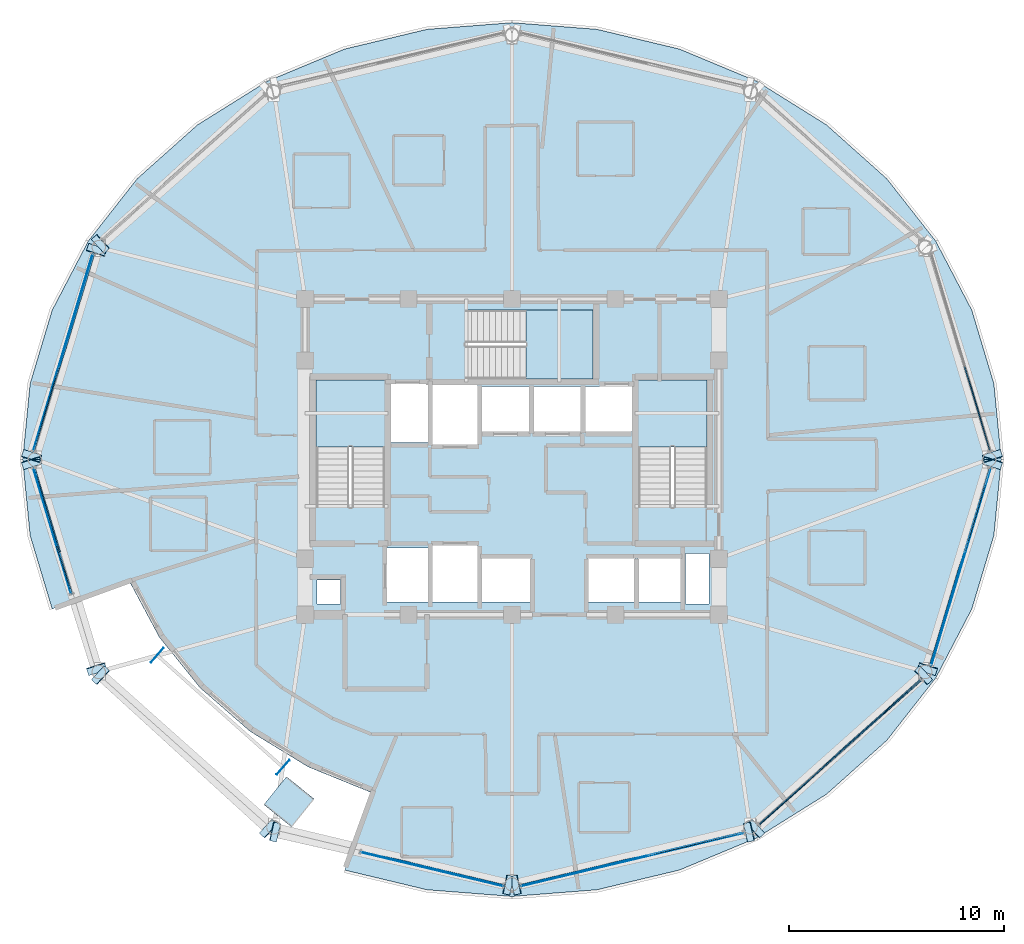
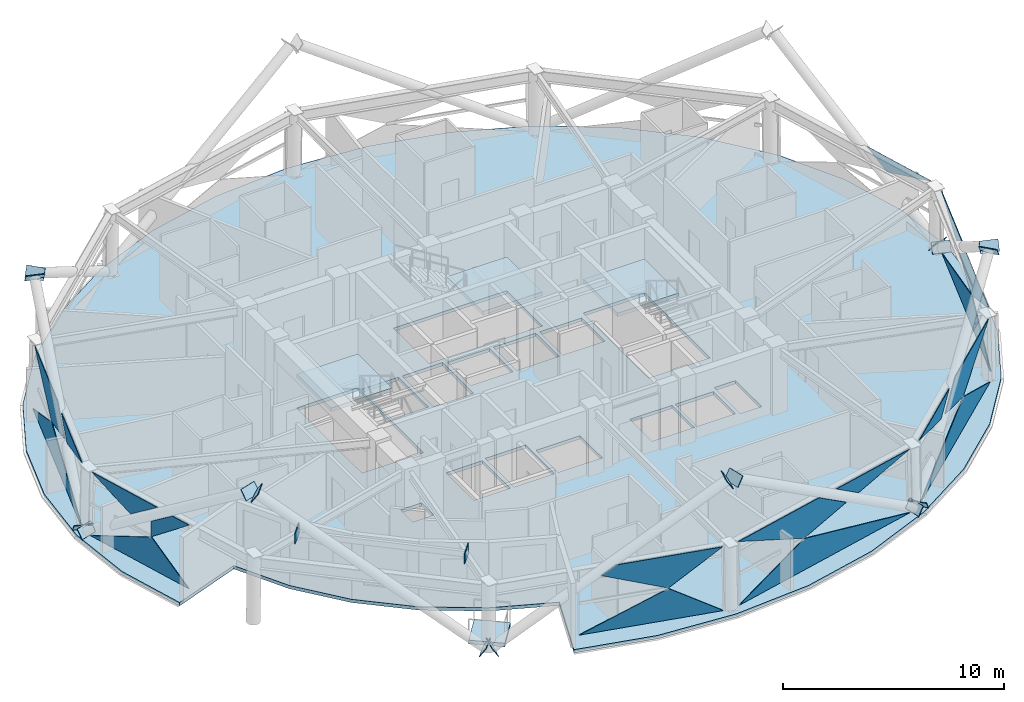
# One storey, part 8 of 18: 36 plates, 5 slabs, 10 elements without a shape of their own.
"""IFC4 building model written with IfcOpenShell, lengths in metres."""

from ifc_helpers import new_model, si_unit, direction, frame, origin, origin_2d, place, context, subcontext, project, spatial, polyline, rectangle, outline, extrude, material, layer, layer_set, type_object, element, aggregate, save


model = new_model("IFC4")

# Units and contexts
model_context = context("Model", 3, precision=1e-05, world=origin(), true_north=direction((0.0, 1.0)))
body_context = subcontext(model_context, "Body", "Model", "MODEL_VIEW")
ifc_project = project(units=[si_unit("LENGTHUNIT", "METRE"), si_unit("AREAUNIT", "SQUARE_METRE"), si_unit("VOLUMEUNIT", "CUBIC_METRE"), si_unit("PLANEANGLEUNIT", "RADIAN"), si_unit("MASSUNIT", "GRAM", prefix="KILO")], contexts=[model_context])

# Site, building, storey
site_placement = place(None, origin())
site = spatial("IfcSite", under=ifc_project, at=site_placement, CompositionType="ELEMENT")
building_placement = place(site_placement, origin())
building = spatial("IfcBuilding", under=site, at=building_placement, Name="Vantalir Tower", CompositionType="ELEMENT")
storey_placement = place(building_placement, frame((0.0, 0.0, 212.39990234375)))
storey = spatial("IfcBuildingStorey", under=building, at=storey_placement, Name="L53", CompositionType="ELEMENT", Elevation=212.39990234375)

# Curtain wall, plate
ifc_material_1 = material(Name="Champagne-silver PVDF aluminium and double-silver Low-E glass", Category="aluminium")
ifc_layer_1 = layer(ifc_material_1, 0.2099609375)
ifc_layer_set_1 = layer_set([ifc_layer_1], Name="Champagne-silver PVDF aluminium and double-silver Low-E glass")
curtain_wall_type = type_object("IfcCurtainWallType", Name="CW-DIAMOND-Z3", PredefinedType="USERDEFINED", material=ifc_layer_set_1)
curtain_wall_1_placement = place(storey_placement, origin())
curtain_wall_1 = element("IfcCurtainWall", 1, at=curtain_wall_1_placement, inside=storey, type_object=curtain_wall_type, Name="L53 Quilted Pyramid-Diamond Curtain Wall S01", ObjectType="UNITISED CURTAIN WALL", PredefinedType="USERDEFINED")
ifc_material_2 = material(Name="Double-silver Low-E acoustic glass IGU", Category="glass")
ifc_layer_2 = layer(ifc_material_2, 0.031982421875)
ifc_layer_set_2 = layer_set([ifc_layer_2], Name="Double-silver Low-E acoustic glass IGU")
plate_type_1 = type_object("IfcPlateType", Name="CWP-IGU-32", PredefinedType="CURTAIN_PANEL", material=ifc_layer_set_2)
plate_1_placement = place(storey_placement, frame((53.689208984375, 25.417236328125, 3.524658203125), z_axis=(0.957056249058, 0.287858513942, 0.034362946472), x_axis=(-0.288026636784, 0.957622395772, -6.0155939e-05)))
plate_1 = element("IfcPlate", 2, at=plate_1_placement, type_object=plate_type_1, Name="CW-L53-S01 Pyramid Diamond Facet 2U Infill Light", PredefinedType="CURTAIN_PANEL", context=body_context, shape_type="SweptSolid", body=[
    extrude(outline(polyline([(0.0, 0.0), (4.058462528167154, 3.3068166260807885e-18), (2.849353308681614, -0.8345499805043826), (0.0, 0.0)])), origin(), (0.0, 0.0, -1.0), 0.031982421875),
])
aggregate(curtain_wall_1, [plate_1])

# Curtain wall, plates
curtain_wall_2_placement = place(storey_placement, origin())
curtain_wall_2 = element("IfcCurtainWall", 3, at=curtain_wall_2_placement, inside=storey, type_object=curtain_wall_type, Name="L53 Quilted Pyramid-Diamond Curtain Wall S06", ObjectType="UNITISED CURTAIN WALL", PredefinedType="USERDEFINED")
plate_2_placement = place(storey_placement, frame((12.020751953125, 34.551025390625, 0.047119140625), z_axis=(-0.957623193103, 0.287946433413, 0.006683675376), x_axis=(-0.287953028694, -0.957644533537, -2.5568552e-05)))
plate_2 = element("IfcPlate", 4, at=plate_2_placement, type_object=plate_type_1, Name="CW-L53-S06 Pyramid Diamond Facet 1L", PredefinedType="CURTAIN_PANEL", context=body_context, shape_type="SweptSolid", body=[
    extrude(outline(polyline([(0.0, 0.0), (9.548472996531673, 3.3610267347050637e-18), (3.6331883348645513, 1.7254732329860645), (0.0, 0.0)])), origin(), (0.0, 0.0, -1.0), 0.031982421875),
])
plate_3_placement = place(storey_placement, frame((12.08544921875, 34.51806640625, 3.523193359375), z_axis=(-0.957062768049, 0.287836340879, 0.034367119226), x_axis=(-0.288006449757, -0.957628469135, 7.11637e-07)))
plate_3 = element("IfcPlate", 5, at=plate_3_placement, type_object=plate_type_1, Name="CW-L53-S06 Pyramid Diamond Facet 2U", PredefinedType="CURTAIN_PANEL", context=body_context, shape_type="SweptSolid", body=[
    extrude(outline(polyline([(0.0, 0.0), (4.487987723551335, 6.938893903907228e-18), (5.985270166380642, -1.0335738004786958), (3.620160713448807, -1.7266052669534093), (0.0, 0.0)])), origin(), (0.0, 0.0, -1.0), 0.031982421875),
])
plate_4_placement = place(storey_placement, frame((10.479736328125, 29.3037109375, 3.5244140625), z_axis=(-0.957056249058, 0.287858513942, 0.034362946472), x_axis=(-0.288026636784, -0.957622395772, 6.0155939e-05)))
plate_4 = element("IfcPlate", 6, at=plate_4_placement, type_object=plate_type_1, Name="CW-L53-S06 Pyramid Diamond Facet 2U Infill Light", PredefinedType="CURTAIN_PANEL", context=body_context, shape_type="SweptSolid", body=[
    extrude(outline(polyline([(0.0, 0.0), (4.058462528167154, -3.3068166260807885e-18), (1.2091092194855402, -0.8345499805043826), (0.0, 0.0)])), origin(), (0.0, 0.0, -1.0), 0.031982421875),
])
aggregate(curtain_wall_2, [plate_2, plate_3, plate_4])

curtain_wall_3_placement = place(storey_placement, origin())
curtain_wall_3 = element("IfcCurtainWall", 7, at=curtain_wall_3_placement, inside=storey, type_object=curtain_wall_type, Name="L53 Quilted Pyramid-Diamond Curtain Wall S07", ObjectType="UNITISED CURTAIN WALL", PredefinedType="USERDEFINED")
plate_5_placement = place(storey_placement, frame((9.271240234375, 24.59326171875, 0.047607421875), z_axis=(-0.957637593938, -0.287896684111, 0.006762984071), x_axis=(0.287903787159, -0.957659335514, 8.0263113e-05)))
plate_5 = element("IfcPlate", 8, at=plate_5_placement, type_object=plate_type_1, Name="CW-L53-S07 Pyramid Diamond Facet 1L", PredefinedType="CURTAIN_PANEL", context=body_context, shape_type="SweptSolid", body=[
    extrude(outline(polyline([(0.0, 0.0), (6.083507483637266, -2.222614453595284e-18), (3.770557815198784, 1.7233695934922508), (0.0, 0.0)])), origin(), (0.0, 0.0, -1.0), 0.031982421875),
])
plate_6_placement = place(storey_placement, frame((9.34521484375, 24.59326171875, 3.5224609375), z_axis=(-0.957062952039, -0.287848774344, 0.03425768444), x_axis=(0.288015855322, -0.957625638474, -6.0178825e-05)))
plate_6 = element("IfcPlate", 9, at=plate_6_placement, type_object=plate_type_1, Name="CW-L53-S07 Pyramid Diamond Facet 2U", PredefinedType="CURTAIN_PANEL", context=body_context, shape_type="SweptSolid", body=[
    extrude(outline(polyline([(0.0, 0.0), (4.056919123236723, 7.318364664277155e-18), (2.4349684338108197, -1.1198955755666558), (0.0, 0.0)])), origin(), (0.0, 0.0, -1.0), 0.031982421875),
])
plate_7_placement = place(storey_placement, frame((10.7578125, 19.770751953125, 3.5234375), z_axis=(-0.957056429237, -0.287889091747, 0.034100764044), x_axis=(0.288048954526, -0.957615656092, -0.000234528791)))
plate_7 = element("IfcPlate", 10, at=plate_7_placement, type_object=plate_type_1, Name="CW-L53-S07 Pyramid Diamond Facet 2U Infill Light", PredefinedType="CURTAIN_PANEL", context=body_context, shape_type="SweptSolid", body=[
    extrude(outline(polyline([(0.0, 0.0), (1.0356032353529585, 6.2341624917916505e-19), (-1.2754469504721497, -1.7246909289273609), (-1.2756470146544838, -0.8809372447322872), (0.0, 0.0)])), origin(), (0.0, 0.0, -1.0), 0.031982421875),
])
aggregate(curtain_wall_3, [plate_5, plate_6, plate_7])

curtain_wall_4_placement = place(storey_placement, origin())
curtain_wall_4 = element("IfcCurtainWall", 11, at=curtain_wall_4_placement, inside=storey, type_object=curtain_wall_type, Name="L53 Quilted Pyramid-Diamond Curtain Wall S09", ObjectType="UNITISED CURTAIN WALL", PredefinedType="USERDEFINED")
plate_8_placement = place(storey_placement, frame((24.462646484375, 6.762939453125, 0.04736328125), z_axis=(-0.232186779762, -0.97265929653, 0.004815825659), x_axis=(0.972670653441, -0.232189135825, 7.1696506e-05)))
plate_8 = element("IfcPlate", 12, at=plate_8_placement, type_object=plate_type_1, Name="CW-L53-S09 Pyramid Diamond Facet 1L", PredefinedType="CURTAIN_PANEL", context=body_context, shape_type="SweptSolid", body=[
    extrude(outline(polyline([(0.0, 0.0), (6.810391117171328, -2.710505431213761e-19), (4.218711896918521, 1.7238386211772516), (0.0, 0.0)])), origin(), (0.0, 0.0, -1.0), 0.031982421875),
])
plate_9_placement = place(storey_placement, frame((26.20263671875, 6.413818359375, 3.522705078125), z_axis=(-0.232146828617, -0.972149363727, 0.032147543723), x_axis=(0.972651734774, -0.23226838041, -4.7986654e-05)))
plate_9 = element("IfcPlate", 13, at=plate_9_placement, type_object=plate_type_1, Name="CW-L53-S09 Pyramid Diamond Facet 2U", PredefinedType="CURTAIN_PANEL", context=body_context, shape_type="SweptSolid", body=[
    extrude(outline(polyline([(0.0, 0.0), (5.021586110130653, -4.7704895589362195e-18), (2.445062610630722, -1.724895304857583), (-0.698461899889627, -0.4365352728942831), (0.0, 0.0)])), origin(), (0.0, 0.0, -1.0), 0.031982421875),
])
aggregate(curtain_wall_4, [plate_8, plate_9])

curtain_wall_5_placement = place(storey_placement, origin())
curtain_wall_5 = element("IfcCurtainWall", 14, at=curtain_wall_5_placement, inside=storey, type_object=curtain_wall_type, Name="L53 Quilted Pyramid-Diamond Curtain Wall S10", ObjectType="UNITISED CURTAIN WALL", PredefinedType="USERDEFINED")
plate_10_placement = place(storey_placement, frame((31.913330078125, 5.181640625, 0.046875), z_axis=(0.232202122269, -0.972655667596, 0.004809023423), x_axis=(0.972666940319, 0.232204699961, -2.2945128e-05)))
plate_10 = element("IfcPlate", 15, at=plate_10_placement, type_object=plate_type_1, Name="CW-L53-S10 Pyramid Diamond Facet 1L", PredefinedType="CURTAIN_PANEL", context=body_context, shape_type="SweptSolid", body=[
    extrude(outline(polyline([(0.0, 0.0), (10.640194300198624, -2.2768245622195593e-18), (4.048835427576592, 1.7261870808795976), (0.0, 0.0)])), origin(), (0.0, 0.0, -1.0), 0.031982421875),
])
plate_11_placement = place(storey_placement, frame((31.913330078125, 5.24755859375, 3.5234375), z_axis=(0.232144522818, -0.972144812159, 0.03230146619), x_axis=(0.972652369035, 0.232265729309, 1.14938e-07)))
plate_11 = element("IfcPlate", 16, at=plate_11_placement, type_object=plate_type_1, Name="CW-L53-S10 Pyramid Diamond Facet 2U", PredefinedType="CURTAIN_PANEL", context=body_context, shape_type="SweptSolid", body=[
    extrude(outline(polyline([(0.0, 0.0), (5.020104615202886, 0.0), (6.67353435025511, -1.0330105245089112), (4.033384104566399, -1.7272195583749794), (0.0, 0.0)])), origin(), (0.0, 0.0, -1.0), 0.031982421875),
])
plate_12_placement = place(storey_placement, frame((37.81298828125, 6.61962890625, 3.524658203125), z_axis=(0.232124903465, -0.972143819807, 0.032471877102), x_axis=(0.972656750783, 0.232247379225, 0.0)))
plate_12 = element("IfcPlate", 17, at=plate_12_placement, type_object=plate_type_1, Name="CW-L53-S10 Pyramid Diamond Facet 2U Infill Light", PredefinedType="CURTAIN_PANEL", context=body_context, shape_type="SweptSolid", body=[
    extrude(outline(polyline([(0.0, 0.0), (4.545429386643662, -6.938893903907228e-18), (1.3463900915943234, -0.8410196839842365), (0.0, 0.0)])), origin(), (0.0, 0.0, -1.0), 0.031982421875),
])
aggregate(curtain_wall_5, [plate_10, plate_11, plate_12])

curtain_wall_6_placement = place(storey_placement, origin())
curtain_wall_6 = element("IfcCurtainWall", 18, at=curtain_wall_6_placement, inside=storey, type_object=curtain_wall_type, Name="L53 Quilted Pyramid-Diamond Curtain Wall S11", ObjectType="UNITISED CURTAIN WALL", PredefinedType="USERDEFINED")
plate_13_placement = place(storey_placement, frame((42.9931640625, 8.03369140625, 0.046630859375), z_axis=(0.665263416605, -0.746585946218, 0.005831932544), x_axis=(0.746598548842, 0.66527483515, 2.4153167e-05)))
plate_13 = element("IfcPlate", 19, at=plate_13_placement, type_object=plate_type_1, Name="CW-L53-S11 Pyramid Diamond Facet 1L", PredefinedType="CURTAIN_PANEL", context=body_context, shape_type="SweptSolid", body=[
    extrude(outline(polyline([(0.0, 0.0), (10.10801704755258, -5.421010862427522e-20), (6.260017158308297, 1.7259523713227645), (0.0, 0.0)])), origin(), (0.0, 0.0, -1.0), 0.031982421875),
])
plate_14_placement = place(storey_placement, frame((46.920166015625, 11.623779296875, 3.5234375), z_axis=(0.664904378491, -0.746197532276, 0.033036499355), x_axis=(0.746606189203, 0.665266259213, -5.0952077e-05)))
plate_14 = element("IfcPlate", 20, at=plate_14_placement, type_object=plate_type_1, Name="CW-L53-S11 Pyramid Diamond Facet 2U", PredefinedType="CURTAIN_PANEL", context=body_context, shape_type="SweptSolid", body=[
    extrude(outline(polyline([(0.0, 0.0), (4.7611695831985195, 6.505213034913027e-19), (0.9397352716707069, -1.7269690126851773), (-1.5727648676727217, -1.0326246721419041), (0.0, 0.0)])), origin(), (0.0, 0.0, -1.0), 0.031982421875),
])
plate_15_placement = place(storey_placement, frame((42.980224609375, 8.064697265625, 3.524658203125), z_axis=(0.6649148286, -0.746188489506, 0.033030422907), x_axis=(0.746595871998, 0.66527783964, 0.0)))
plate_15 = element("IfcPlate", 21, at=plate_15_placement, type_object=plate_type_1, Name="CW-L53-S11 Pyramid Diamond Facet 2U Infill Light", PredefinedType="CURTAIN_PANEL", context=body_context, shape_type="SweptSolid", body=[
    extrude(outline(polyline([(0.0, 0.0), (4.308291613999675, -1.3877787807814457e-17), (3.0321827109399417, -0.8378595245539924), (0.0, 0.0)])), origin(), (0.0, 0.0, -1.0), 0.031982421875),
])
aggregate(curtain_wall_6, [plate_13, plate_14, plate_15])

curtain_wall_7_placement = place(storey_placement, origin())
curtain_wall_7 = element("IfcCurtainWall", 22, at=curtain_wall_7_placement, inside=storey, type_object=curtain_wall_type, Name="L53 Quilted Pyramid-Diamond Curtain Wall S12", ObjectType="UNITISED CURTAIN WALL", PredefinedType="USERDEFINED")
plate_16_placement = place(storey_placement, frame((50.979248046875, 15.447998046875, 0.047119140625), z_axis=(0.957631807666, -0.287918275282, 0.006662409887), x_axis=(0.287924828539, 0.957653012556, -2.5566048e-05)))
plate_16 = element("IfcPlate", 23, at=plate_16_placement, type_object=plate_type_1, Name="CW-L53-S12 Pyramid Diamond Facet 1L", PredefinedType="CURTAIN_PANEL", context=body_context, shape_type="SweptSolid", body=[
    extrude(outline(polyline([(0.0, 0.0), (9.549408200411804, 1.951563910473908e-18), (3.6334224792156933, 1.7254729850094463), (0.0, 0.0)])), origin(), (0.0, 0.0, -1.0), 0.031982421875),
])
plate_17_placement = place(storey_placement, frame((50.914306640625, 15.48095703125, 3.523193359375), z_axis=(0.957064152691, -0.287838090499, 0.034313864409), x_axis=(0.288007718523, 0.957628087553, -6.69316e-07)))
plate_17 = element("IfcPlate", 24, at=plate_17_placement, type_object=plate_type_1, Name="CW-L53-S12 Pyramid Diamond Facet 2U", PredefinedType="CURTAIN_PANEL", context=body_context, shape_type="SweptSolid", body=[
    extrude(outline(polyline([(0.0, 0.0), (4.489063535872535, -6.938893903907228e-18), (5.986277137968086, -1.033563637135592), (3.6207010811162097, -1.7266033051107523), (0.0, 0.0)])), origin(), (0.0, 0.0, -1.0), 0.031982421875),
])
plate_18_placement = place(storey_placement, frame((52.5205078125, 20.6962890625, 3.5244140625), z_axis=(0.957076524102, -0.287804483417, 0.034250639971), x_axis=(0.287971469908, 0.957638986727, 6.0156981e-05)))
plate_18 = element("IfcPlate", 25, at=plate_18_placement, type_object=plate_type_1, Name="CW-L53-S12 Pyramid Diamond Facet 2U Infill Light", PredefinedType="CURTAIN_PANEL", context=body_context, shape_type="SweptSolid", body=[
    extrude(outline(polyline([(0.0, 0.0), (4.058392215898213, 4.7704895589362195e-18), (1.2088034604449165, -0.8345467441607864), (0.0, 0.0)])), origin(), (0.0, 0.0, -1.0), 0.031982421875),
])
aggregate(curtain_wall_7, [plate_16, plate_17, plate_18])

# Plates
ifc_material_3 = material(Name="Steel S460", Category="steel")
ifc_layer_3 = layer(ifc_material_3, 0.035888671875)
ifc_layer_set_3 = layer_set([ifc_layer_3], Name="Steel S460")
plate_type_2 = type_object("IfcPlateType", Name="PLT-KN-Z2", PredefinedType="USERDEFINED", material=ifc_layer_set_3)
for number, where, z_axis, x_axis, name in (
    (26, (15.029052734375, 15.916015625, 3.130126953125), (0.0, 0.0, 1.0), (0.746893557358, -0.664943617141, 0.0), "L53 Lintel Cap 1A"),
    (27, (20.8720703125, 10.715087890625, 3.130126953125), (0.0, 0.0, 1.0), (0.746893557358, -0.664943617141, 0.0), "L53 Lintel Cap 1B"),
):
    element("IfcPlate", number, at=place(storey_placement, frame(where, z_axis=z_axis, x_axis=x_axis)), inside=storey, type_object=plate_type_2, Name=name, ObjectType="FLANGE_PLATE", PredefinedType="USERDEFINED", context=body_context, shape_type="SweptSolid", body=[
        extrude(rectangle(XDim=0.035888671875, YDim=0.8798828125, at=origin_2d()), origin(), (0.0, 0.0, 1.0), 0.580078125),
    ])
plate_19_placement = place(storey_placement, frame((54.16455078125, 25.468505859375, -0.029052734375), z_axis=(-0.24774494887, 0.784792063841, 0.568087895348), x_axis=(-0.953612013501, -0.301038415667, 0.0)))
element("IfcPlate", 28, at=plate_19_placement, inside=storey, type_object=plate_type_2, Name="Node Cap Plate MEM-DG-L53-R01L Start", ObjectType="FLANGE_PLATE", PredefinedType="USERDEFINED", context=body_context, shape_type="SweptSolid", body=[
    extrude(outline(polyline([(0.0, 0.0), (0.8799294852051559, -2.7755575615628914e-17), (0.8799953942584853, 0.5799678570333222), (6.59090533293791e-05, 0.5799678570333223), (0.0, 0.0)])), origin(), (0.0, 0.0, -1.0), 0.035888671875),
])
plate_20_placement = place(storey_placement, frame((53.325439453125, 24.79638671875, -0.029052734375), z_axis=(-0.24774494887, -0.784792063841, 0.568087895348), x_axis=(0.953612013501, -0.301038415667, 0.0)))
element("IfcPlate", 29, at=plate_20_placement, inside=storey, type_object=plate_type_2, Name="Node Cap Plate MEM-DG-L53-R01R Start", ObjectType="FLANGE_PLATE", PredefinedType="USERDEFINED", context=body_context, shape_type="SweptSolid", body=[
    extrude(outline(polyline([(0.0, 0.0), (0.8799294852051559, 2.7755575615628914e-17), (0.8798635761518266, 0.5799678570333223), (-6.59090533293791e-05, 0.5799678570333223), (0.0, 0.0)])), origin(), (0.0, 0.0, -1.0), 0.035888671875),
])
plate_21_placement = place(storey_placement, frame((50.306396484375, 15.233154296875, 6.892333984375), z_axis=(-0.247801445593, -0.784971030878, 0.567815924614), x_axis=(0.953612013501, -0.301038415667, 0.0)))
element("IfcPlate", 30, at=plate_21_placement, inside=storey, type_object=plate_type_2, Name="Node Cap Plate MEM-DG-L53-R01R End", ObjectType="FLANGE_PLATE", PredefinedType="USERDEFINED", context=body_context, shape_type="SweptSolid", body=[
    extrude(outline(polyline([(0.0, 0.0), (0.8799294852051559, 2.7755575615628914e-17), (0.8799370718587766, 0.5798356290598771), (7.586653620619832e-06, 0.5798356290598771), (0.0, 0.0)])), origin(), (0.0, 0.0, -1.0), 0.035888671875),
])
plate_22_placement = place(storey_placement, frame((11.976318359375, 35.21875, 6.892333984375), z_axis=(-0.617277984064, -0.563924381533, 0.548595645537), x_axis=(0.674479855046, -0.738293251451, 0.0)))
element("IfcPlate", 31, at=plate_22_placement, inside=storey, type_object=plate_type_2, Name="Node Cap Plate MEM-DG-L53-R13L End", ObjectType="FLANGE_PLATE", PredefinedType="USERDEFINED", context=body_context, shape_type="SweptSolid", body=[
    extrude(outline(polyline([(0.0, 0.0), (0.8799460131167485, 0.0), (0.879919121644291, 0.579919092636882), (-2.689147245751866e-05, 0.579919092636882), (0.0, 0.0)])), origin(), (0.0, 0.0, -1.0), 0.035888671875),
])
plate_23_placement = place(storey_placement, frame((8.83544921875, 24.531494140625, -0.029052734375), z_axis=(0.24774494887, -0.784792063841, 0.568087895348), x_axis=(0.953612013501, 0.301038415667, 0.0)))
element("IfcPlate", 32, at=plate_23_placement, inside=storey, type_object=plate_type_2, Name="Node Cap Plate MEM-DG-L53-R19L Start", ObjectType="FLANGE_PLATE", PredefinedType="USERDEFINED", context=body_context, shape_type="SweptSolid", body=[
    extrude(outline(polyline([(0.0, 0.0), (0.8799294852051559, -2.7755575615628914e-17), (0.8799953942584853, 0.5799678570333222), (6.59090533293791e-05, 0.5799678570333223), (0.0, 0.0)])), origin(), (0.0, 0.0, -1.0), 0.035888671875),
])
plate_24_placement = place(storey_placement, frame((11.8544921875, 14.96826171875, 6.892333984375), z_axis=(0.247801445593, -0.784971030878, 0.567815924614), x_axis=(0.953612013501, 0.301038415667, 0.0)))
element("IfcPlate", 33, at=plate_24_placement, inside=storey, type_object=plate_type_2, Name="Node Cap Plate MEM-DG-L53-R19L End", ObjectType="FLANGE_PLATE", PredefinedType="USERDEFINED", context=body_context, shape_type="SweptSolid", body=[
    extrude(outline(polyline([(0.0, 0.0), (0.8799294852051559, -2.7755575615628914e-17), (0.8799218985515354, 0.579835629059877), (-7.586653620619832e-06, 0.5798356290598771), (0.0, 0.0)])), origin(), (0.0, 0.0, -1.0), 0.035888671875),
])
plate_25_placement = place(storey_placement, frame((9.674560546875, 25.20361328125, -0.029052734375), z_axis=(0.24774494887, 0.784792063841, 0.568087895348), x_axis=(-0.953612013501, 0.301038415667, 0.0)))
element("IfcPlate", 34, at=plate_25_placement, inside=storey, type_object=plate_type_2, Name="Node Cap Plate MEM-DG-L53-R19R Start", ObjectType="FLANGE_PLATE", PredefinedType="USERDEFINED", context=body_context, shape_type="SweptSolid", body=[
    extrude(outline(polyline([(0.0, 0.0), (0.8799294852051559, 2.7755575615628914e-17), (0.8798635761518266, 0.5799678570333223), (-6.59090533293791e-05, 0.5799678570333223), (0.0, 0.0)])), origin(), (0.0, 0.0, -1.0), 0.035888671875),
])
plate_26_placement = place(storey_placement, frame((12.693603515625, 34.766845703125, 6.892333984375), z_axis=(0.247801445593, 0.784971030878, 0.567815924614), x_axis=(-0.953612013501, 0.301038415667, 0.0)))
element("IfcPlate", 35, at=plate_26_placement, inside=storey, type_object=plate_type_2, Name="Node Cap Plate MEM-DG-L53-R19R End", ObjectType="FLANGE_PLATE", PredefinedType="USERDEFINED", context=body_context, shape_type="SweptSolid", body=[
    extrude(outline(polyline([(0.0, 0.0), (0.8799294852051559, 2.7755575615628914e-17), (0.8799370718587766, 0.5798356290598771), (7.586653620619832e-06, 0.5798356290598771), (0.0, 0.0)])), origin(), (0.0, 0.0, -1.0), 0.035888671875),
])
plate_27_placement = place(storey_placement, frame((20.56494140625, 7.2451171875, -0.044921875), z_axis=(0.827034201957, -0.18775911612, 0.529868798013), x_axis=(0.221393262767, 0.975184609806, 0.0)))
element("IfcPlate", 36, at=plate_27_placement, inside=storey, type_object=plate_type_2, Name="Node Cap Plate MEM-DG-L53-R25L Start", ObjectType="FLANGE_PLATE", PredefinedType="USERDEFINED", context=body_context, shape_type="SweptSolid", body=[
    extrude(outline(polyline([(0.0, 0.0), (0.8799916326060001, 0.0), (0.8800958739929752, 0.5797795419390925), (0.00010424138697508854, 0.5797795419390925), (0.0, 0.0)])), origin(), (0.0, 0.0, -1.0), 0.035888671875),
])
plate_28_placement = place(storey_placement, frame((31.3935546875, 4.786865234375, 6.892333984375), z_axis=(0.827149432628, -0.187785276597, 0.529679625809), x_axis=(0.221393262767, 0.975184609806, 0.0)))
element("IfcPlate", 37, at=plate_28_placement, inside=storey, type_object=plate_type_2, Name="Node Cap Plate MEM-DG-L53-R25L End", ObjectType="FLANGE_PLATE", PredefinedType="USERDEFINED", context=body_context, shape_type="SweptSolid", body=[
    extrude(outline(polyline([(0.0, 0.0), (0.8799916326060001, 0.0), (0.8800958739929752, 0.5799866070564939), (0.00010424138697508854, 0.5799866070564939), (0.0, 0.0)])), origin(), (0.0, 0.0, -1.0), 0.035888671875),
])
plate_29_placement = place(storey_placement, frame((20.362548828125, 8.311767578125, -0.037109375), z_axis=(-0.61717228653, 0.563837841329, 0.548803477963), x_axis=(-0.674484421404, -0.738289079742, 4.060492e-06)))
element("IfcPlate", 38, at=plate_29_placement, inside=storey, type_object=plate_type_2, Name="Node Cap Plate MEM-DG-L53-R25R Start", ObjectType="FLANGE_PLATE", PredefinedType="USERDEFINED", context=body_context, shape_type="SweptSolid", body=[
    extrude(outline(polyline([(0.0, 0.0), (0.8799460130926633, 0.0), (0.8801531519891392, 0.5800094450517043), (-0.00013777650907734288, 0.5800179951039232), (0.0, 0.0)])), origin(), (0.0, 0.0, -1.0), 0.035888671875),
])
plate_30_placement = place(storey_placement, frame((12.56982421875, 15.430908203125, 6.892333984375), z_axis=(-0.617277984064, 0.563924381533, 0.548595645537), x_axis=(-0.674479855046, -0.738293251451, 0.0)))
element("IfcPlate", 39, at=plate_30_placement, inside=storey, type_object=plate_type_2, Name="Node Cap Plate MEM-DG-L53-R25R End", ObjectType="FLANGE_PLATE", PredefinedType="USERDEFINED", context=body_context, shape_type="SweptSolid", body=[
    extrude(outline(polyline([(0.0, 0.0), (0.8799460131167485, 0.0), (0.8799729045892061, 0.579919092636882), (2.689147245751866e-05, 0.579919092636882), (0.0, 0.0)])), origin(), (0.0, 0.0, -1.0), 0.035888671875),
])
plate_31_placement = place(storey_placement, frame((43.23095703125, 7.662109375, -0.037109375), z_axis=(0.61717228653, 0.563837841329, 0.548803477963), x_axis=(-0.674484421404, 0.738289079742, -4.060492e-06)))
element("IfcPlate", 40, at=plate_31_placement, inside=storey, type_object=plate_type_2, Name="Node Cap Plate MEM-DG-L53-R31L Start", ObjectType="FLANGE_PLATE", PredefinedType="USERDEFINED", context=body_context, shape_type="SweptSolid", body=[
    extrude(outline(polyline([(0.0, 0.0), (0.8799460130926633, 0.0), (0.8800837896017408, 0.5800179951039232), (-0.0002071388964759437, 0.5800094450517043), (0.0, 0.0)])), origin(), (0.0, 0.0, -1.0), 0.035888671875),
])
plate_32_placement = place(storey_placement, frame((51.023681640625, 14.78125, 6.892333984375), z_axis=(0.617277984064, 0.563924381533, 0.548595645537), x_axis=(-0.674479855046, 0.738293251451, 0.0)))
element("IfcPlate", 41, at=plate_32_placement, inside=storey, type_object=plate_type_2, Name="Node Cap Plate MEM-DG-L53-R31L End", ObjectType="FLANGE_PLATE", PredefinedType="USERDEFINED", context=body_context, shape_type="SweptSolid", body=[
    extrude(outline(polyline([(0.0, 0.0), (0.8799460131167485, 0.0), (0.879919121644291, 0.579919092636882), (-2.689147245751866e-05, 0.579919092636882), (0.0, 0.0)])), origin(), (0.0, 0.0, -1.0), 0.035888671875),
])
plate_33_placement = place(storey_placement, frame((42.240234375, 8.103271484375, -0.044921875), z_axis=(-0.827034201957, -0.18775911612, 0.529868798013), x_axis=(0.221393262767, -0.975184609806, 0.0)))
element("IfcPlate", 42, at=plate_33_placement, inside=storey, type_object=plate_type_2, Name="Node Cap Plate MEM-DG-L53-R31R Start", ObjectType="FLANGE_PLATE", PredefinedType="USERDEFINED", context=body_context, shape_type="SweptSolid", body=[
    extrude(outline(polyline([(0.0, 0.0), (0.8799916326060001, 0.0), (0.879887391219025, 0.5797795419390925), (-0.00010424138697508854, 0.5797795419390925), (0.0, 0.0)])), origin(), (0.0, 0.0, -1.0), 0.035888671875),
])
plate_34_placement = place(storey_placement, frame((31.41162109375, 5.64501953125, 6.892333984375), z_axis=(-0.827149432628, -0.187785276597, 0.529679625809), x_axis=(0.221393262767, -0.975184609806, 0.0)))
element("IfcPlate", 43, at=plate_34_placement, inside=storey, type_object=plate_type_2, Name="Node Cap Plate MEM-DG-L53-R31R End", ObjectType="FLANGE_PLATE", PredefinedType="USERDEFINED", context=body_context, shape_type="SweptSolid", body=[
    extrude(outline(polyline([(0.0, 0.0), (0.8799916326060001, 0.0), (0.879887391219025, 0.5799866070564939), (-0.00010424138697508854, 0.5799866070564939), (0.0, 0.0)])), origin(), (0.0, 0.0, -1.0), 0.035888671875),
])

# Stair, slab
ifc_material_4 = material(Name="Concrete C40/50", Category="concrete")
stair_type = type_object("IfcStairType", Name="STR-CORE-1450", PredefinedType="HALF_TURN_STAIR", material=ifc_material_4)
stair_1_placement = place(storey_placement, origin())
stair_1 = element("IfcStair", 44, at=stair_1_placement, inside=storey, type_object=stair_type, Name="L53 Core Exit Stair 1", PredefinedType="HALF_TURN_STAIR")
ifc_layer_4 = layer(ifc_material_4, 0.199951171875)
ifc_layer_set_4 = layer_set([ifc_layer_4], Name="Concrete C40/50")
slab_type_1 = type_object("IfcSlabType", Name="SL-LAND-200", PredefinedType="LANDING", material=ifc_layer_set_4)
slab_1_placement = place(storey_placement, frame((0.0, 0.0, 1.675048828125)))
slab_1 = element("IfcSlab", 45, at=slab_1_placement, type_object=slab_type_1, Name="ST1 landing 1", PredefinedType="LANDING", context=body_context, shape_type="SweptSolid", body=[
    extrude(outline(polyline([(25.60009765625, 25.590087890625), (25.60009765625, 28.699951171875), (22.39990234375, 28.699951171875), (22.39990234375, 25.590087890625), (25.60009765625, 25.590087890625)])), origin(), (0.0, 0.0, 1.0), 0.199951171875),
])
aggregate(stair_1, [slab_1])

stair_2_placement = place(storey_placement, origin())
stair_2 = element("IfcStair", 46, at=stair_2_placement, inside=storey, type_object=stair_type, Name="L53 Core Exit Stair 2", PredefinedType="HALF_TURN_STAIR")
slab_2_placement = place(storey_placement, frame((0.0, 0.0, 1.675048828125)))
slab_2 = element("IfcSlab", 47, at=slab_2_placement, type_object=slab_type_1, Name="ST2 landing 1", PredefinedType="LANDING", context=body_context, shape_type="SweptSolid", body=[
    extrude(outline(polyline([(40.550048828125, 25.590087890625), (40.550048828125, 28.699951171875), (37.35009765625, 28.699951171875), (37.35009765625, 25.590087890625), (40.550048828125, 25.590087890625)])), origin(), (0.0, 0.0, 1.0), 0.199951171875),
])
aggregate(stair_2, [slab_2])

stair_3_placement = place(storey_placement, origin())
stair_3 = element("IfcStair", 48, at=stair_3_placement, inside=storey, type_object=stair_type, Name="L53 Core Exit Stair 3", PredefinedType="HALF_TURN_STAIR")
slab_3_placement = place(storey_placement, frame((0.0, 0.0, 1.675048828125)))
slab_3 = element("IfcSlab", 49, at=slab_3_placement, type_object=slab_type_1, Name="ST3 landing 1", PredefinedType="LANDING", context=body_context, shape_type="SweptSolid", body=[
    extrude(outline(polyline([(32.139892578125, 28.75), (35.25, 28.75), (35.25, 31.949951171875), (32.139892578125, 31.949951171875), (32.139892578125, 28.75)])), origin(), (0.0, 0.0, 1.0), 0.199951171875),
])
aggregate(stair_3, [slab_3])

# Slabs
slab_4_placement = place(storey_placement, frame((0.0, 0.0, -0.199951171875)))
element("IfcSlab", 50, at=slab_4_placement, inside=storey, type_object=slab_type_1, Name="Sky Garden Stair SG3 Upper Gallery Landing", PredefinedType="LANDING", context=body_context, shape_type="SweptSolid", body=[
    extrude(outline(polyline([(19.98388671875, 8.98291015625), (21.27587890625, 7.94091796875), (22.323974609375, 9.241943359375), (21.031982421875, 10.282958984375), (19.98388671875, 8.98291015625)])), origin(), (0.0, 0.0, 1.0), 0.199951171875),
])
ifc_layer_5 = layer(ifc_material_4, 0.179931640625)
ifc_layer_set_5 = layer_set([ifc_layer_5], Name="Concrete C40/50")
slab_type_2 = type_object("IfcSlabType", Name="SL-TWR-180", PredefinedType="FLOOR", material=ifc_layer_set_5)
slab_5_placement = place(storey_placement, frame((0.0, 0.0, -0.179931640625)))
element("IfcSlab", 51, at=slab_5_placement, inside=storey, type_object=slab_type_2, Name="L53 Primary Structural Slab", PredefinedType="FLOOR", context=body_context, shape_type="SweptSolid", body=[
    extrude(outline(polyline([(19.343994140625, 12.3779296875), (22.0439453125, 10.72998046875), (25.031982421875, 9.51708984375), (23.73193359375, 5.946044921875), (27.555908203125, 5.031005859375), (31.5, 4.722900390625), (35.444091796875, 5.031005859375), (39.26806640625, 5.946044921875), (42.85595703125, 7.43994140625), (46.097900390625, 9.467041015625), (48.89794921875, 11.966064453125), (51.16796875, 14.861083984375), (52.841064453125, 18.06494140625), (53.865966796875, 21.47900390625), (54.2109375, 25.0), (53.865966796875, 28.52099609375), (52.841064453125, 31.93505859375), (51.16796875, 35.137939453125), (48.89794921875, 38.033935546875), (46.097900390625, 40.532958984375), (42.85595703125, 42.56005859375), (39.26806640625, 44.053955078125), (35.444091796875, 44.968994140625), (31.5, 45.277099609375), (27.555908203125, 44.968994140625), (23.73193359375, 44.053955078125), (20.14501953125, 42.56005859375), (16.902099609375, 40.532958984375), (14.10205078125, 38.033935546875), (11.83203125, 35.137939453125), (10.158935546875, 31.93505859375), (9.134033203125, 28.52099609375), (8.7890625, 25.0), (9.134033203125, 21.47900390625), (10.158935546875, 18.06494140625), (13.72900390625, 19.364990234375), (15.123046875, 16.760986328125), (17.012939453125, 14.408935546875), (19.343994140625, 12.3779296875)]), holes=[polyline([(22.39990234375, 28.699951171875), (25.60009765625, 28.699951171875), (25.60009765625, 22.7900390625), (22.39990234375, 22.7900390625), (22.39990234375, 28.699951171875)]), polyline([(40.550048828125, 28.699951171875), (40.550048828125, 22.7900390625), (37.35009765625, 22.7900390625), (37.35009765625, 28.699951171875), (40.550048828125, 28.699951171875)]), polyline([(29.340087890625, 28.75), (29.340087890625, 31.949951171875), (35.25, 31.949951171875), (35.25, 28.75), (29.340087890625, 28.75)]), polyline([(25.699951171875, 18.39990234375), (25.699951171875, 20.89990234375), (27.60009765625, 20.89990234375), (27.60009765625, 18.39990234375), (25.699951171875, 18.39990234375)]), polyline([(25.699951171875, 28.5), (27.60009765625, 28.5), (27.60009765625, 25.800048828125), (25.699951171875, 25.800048828125), (25.699951171875, 28.5)]), polyline([(29.89990234375, 21.0), (29.89990234375, 18.39990234375), (27.800048828125, 18.39990234375), (27.800048828125, 21.0), (29.89990234375, 21.0)]), polyline([(29.89990234375, 25.699951171875), (27.800048828125, 25.699951171875), (27.800048828125, 28.5), (29.89990234375, 28.5), (29.89990234375, 25.699951171875)]), polyline([(30.10009765625, 18.39990234375), (30.10009765625, 20.39990234375), (32.39990234375, 20.39990234375), (32.39990234375, 18.39990234375), (30.10009765625, 18.39990234375)]), polyline([(37.35009765625, 20.39990234375), (39.35009765625, 20.39990234375), (39.35009765625, 18.39990234375), (37.35009765625, 18.39990234375), (37.35009765625, 20.39990234375)]), polyline([(37.199951171875, 20.39990234375), (37.199951171875, 18.39990234375), (35.0, 18.39990234375), (35.0, 20.39990234375), (37.199951171875, 20.39990234375)]), polyline([(32.300048828125, 26.300048828125), (30.10009765625, 26.300048828125), (30.10009765625, 28.39990234375), (32.300048828125, 28.39990234375), (32.300048828125, 26.300048828125)]), polyline([(32.5, 26.300048828125), (32.5, 28.39990234375), (34.699951171875, 28.39990234375), (34.699951171875, 26.300048828125), (32.5, 26.300048828125)]), polyline([(34.89990234375, 28.39990234375), (37.10009765625, 28.39990234375), (37.10009765625, 26.300048828125), (34.89990234375, 26.300048828125), (34.89990234375, 28.39990234375)]), polyline([(23.550048828125, 19.39990234375), (23.550048828125, 18.300048828125), (22.449951171875, 18.300048828125), (22.449951171875, 19.39990234375), (23.550048828125, 19.39990234375)]), polyline([(40.64990234375, 18.300048828125), (39.550048828125, 18.300048828125), (39.550048828125, 20.64990234375), (40.64990234375, 20.64990234375), (40.64990234375, 18.300048828125)])]), origin(), (0.0, 0.0, 1.0), 0.179931640625),
])

save(model, "model.ifc")
